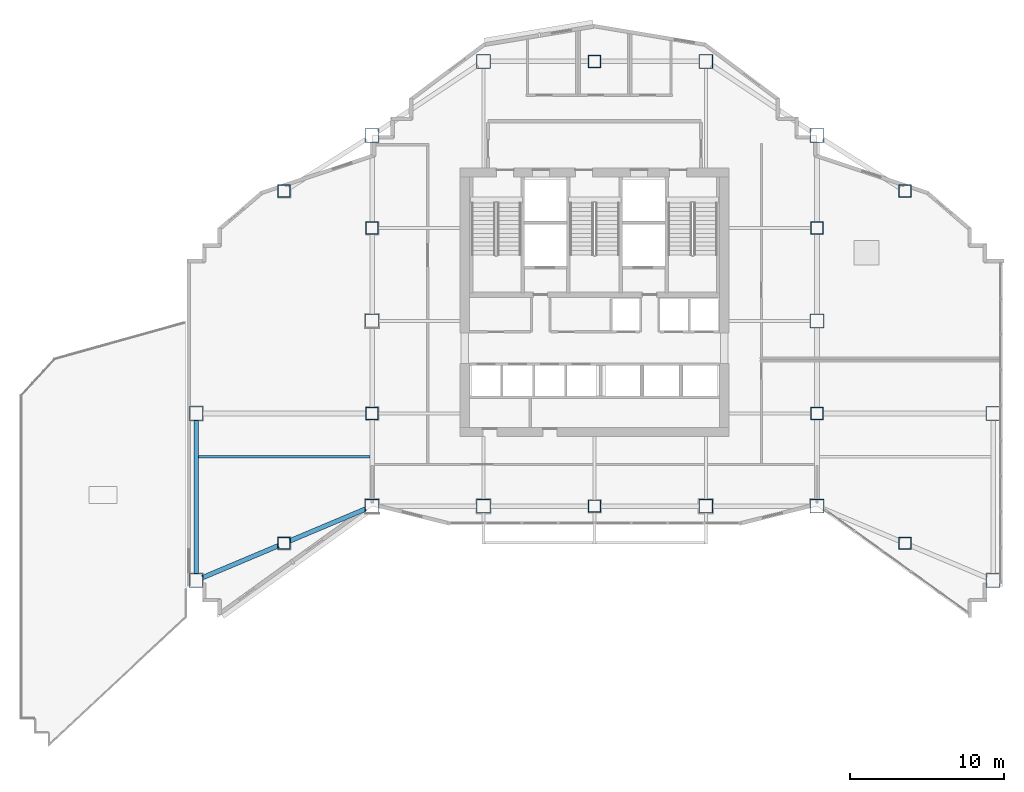
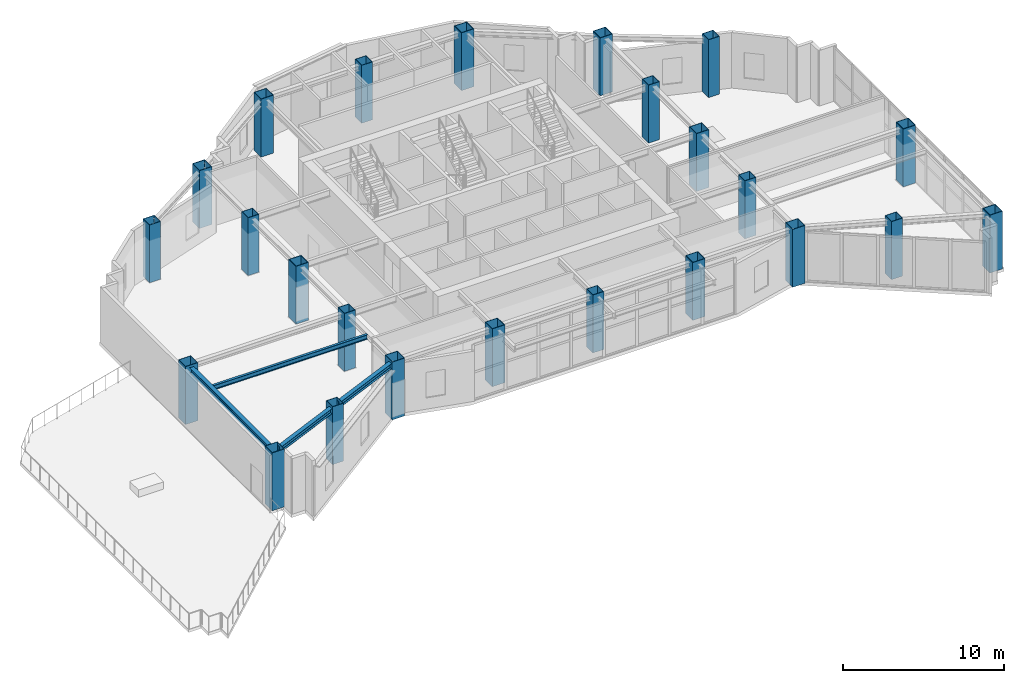
# One storey, part 1 of 16: 24 columns, 4 beams.
"""IFC4 building model written with IfcOpenShell, lengths in metres."""

from ifc_helpers import new_model, si_unit, direction, frame, origin, origin_2d, place, context, subcontext, project, spatial, hollow_rectangle, i_section, extrude, material, material_profile, profile_set, type_object, element, save


model = new_model("IFC4")

# Units and contexts
model_context = context("Model", 3, precision=1e-05, world=origin(), true_north=direction((0.0, 1.0)))
body_context = subcontext(model_context, "Body", "Model", "MODEL_VIEW")
ifc_project = project(units=[si_unit("LENGTHUNIT", "METRE"), si_unit("AREAUNIT", "SQUARE_METRE"), si_unit("VOLUMEUNIT", "CUBIC_METRE"), si_unit("PLANEANGLEUNIT", "RADIAN"), si_unit("MASSUNIT", "GRAM", prefix="KILO")], contexts=[model_context])

# Site, building, storey
site_placement = place(None, origin())
site = spatial("IfcSite", under=ifc_project, at=site_placement, CompositionType="ELEMENT")
building_placement = place(site_placement, origin())
building = spatial("IfcBuilding", under=site, at=building_placement, Name="Haolan Belvedere Tower", CompositionType="ELEMENT")
storey_placement = place(building_placement, frame((0.0, 0.0, 164.60009765625)))
storey = spatial("IfcBuildingStorey", under=building, at=storey_placement, Name="L41", CompositionType="ELEMENT", Elevation=164.60009765625)

# Columns
ifc_material_1 = material(Name="Steel Q390GJC", Category="steel")
ifc_material_profile_1 = material_profile(ifc_material_1, hollow_rectangle(XDim=0.800048828125, YDim=0.800048828125, WallThickness=0.030029296875, at=origin_2d()), Name="Steel Q390GJC")
ifc_profile_set_1 = profile_set([ifc_material_profile_1], Name="Steel Q390GJC")
column_type_1 = type_object("IfcColumnType", Name="COL-BOX800x800x30", PredefinedType="COLUMN", material=ifc_profile_set_1)
for number, where, z_axis, x_axis, name in (
    (1, (24.0, 27.60009765625, 0.0), (0.0, 0.0, 1.0), (1.0, 0.0, 0.0), "L41 column TC-T3-W1 (BOX800x800x30)"),
    (2, (24.0, 39.60009765625, 0.0), (0.0, 0.0, 1.0), (1.0, 0.0, 0.0), "L41 column TC-T3-W2 (BOX800x800x30)"),
    (3, (52.800048828125, 27.60009765625, 0.0), (0.0, 0.0, 1.0), (1.0, 0.0, 0.0), "L41 column TC-T3-E1 (BOX800x800x30)"),
    (4, (52.800048828125, 39.60009765625, 0.0), (0.0, 0.0, 1.0), (1.0, 0.0, 0.0), "L41 column TC-T3-E2 (BOX800x800x30)"),
    (5, (38.39990234375, 21.60009765625, 0.0), (0.0, 0.0, 1.0), (1.0, 0.0, 0.0), "L41 column TC-T3-SM (BOX800x800x30)"),
    (6, (38.39990234375, 50.39990234375, 0.0), (0.0, 0.0, 1.0), (1.0, 0.0, 0.0), "L41 column TC-T3-NM (BOX800x800x30)"),
    (7, (18.300048828125, 19.199951171875, 0.0), (0.0, 0.0, 1.0), (1.0, 0.0, 0.0), "L41 column TC-T2-S1 (BOX800x800x30)"),
    (8, (18.300048828125, 42.0, 0.0), (0.0, 0.0, 1.0), (1.0, 0.0, 0.0), "L41 column TC-T2-N1 (BOX800x800x30)"),
    (9, (58.5, 19.199951171875, 0.0), (0.0, 0.0, 1.0), (1.0, 0.0, 0.0), "L41 column TC-T4-S1 (BOX800x800x30)"),
    (10, (58.5, 42.0, 0.0), (0.0, 0.0, 1.0), (1.0, 0.0, 0.0), "L41 column TC-T4-N1 (BOX800x800x30)"),
):
    element("IfcColumn", number, at=place(storey_placement, frame(where, z_axis=z_axis, x_axis=x_axis)), inside=storey, type_object=column_type_1, Name=name, PredefinedType="COLUMN", context=body_context, shape_type="SweptSolid", body=[
        extrude(hollow_rectangle(XDim=0.800048828125, YDim=0.800048828125, WallThickness=0.030029296875, at=origin_2d()), origin(), (0.0, 0.0, 1.0), 4.39990234375),
    ])
ifc_material_profile_2 = material_profile(ifc_material_1, hollow_rectangle(XDim=0.89990234375, YDim=0.89990234375, WallThickness=0.033935546875, at=origin_2d()), Name="Steel Q390GJC")
ifc_profile_set_2 = profile_set([ifc_material_profile_2], Name="Steel Q390GJC")
column_type_2 = type_object("IfcColumnType", Name="COL-BOX900x900x34", PredefinedType="COLUMN", material=ifc_profile_set_2)
for number, where, z_axis, x_axis, name in (
    (11, (24.0, 21.60009765625, 0.0), (0.0, 0.0, 1.0), (1.0, 0.0, 0.0), "L41 column MC-T3-SW (BOX900x900x34)"),
    (12, (24.0, 33.60009765625, 0.0), (0.0, 0.0, 1.0), (1.0, 0.0, 0.0), "L41 column MC-T3-MW (BOX900x900x34)"),
    (13, (24.0, 45.60009765625, 0.0), (0.0, 0.0, 1.0), (1.0, 0.0, 0.0), "L41 column MC-T3-NW (BOX900x900x34)"),
    (14, (52.800048828125, 21.60009765625, 0.0), (0.0, 0.0, 1.0), (1.0, 0.0, 0.0), "L41 column MC-T3-SE (BOX900x900x34)"),
    (15, (52.800048828125, 33.60009765625, 0.0), (0.0, 0.0, 1.0), (1.0, 0.0, 0.0), "L41 column MC-T3-ME (BOX900x900x34)"),
    (16, (52.800048828125, 45.60009765625, 0.0), (0.0, 0.0, 1.0), (1.0, 0.0, 0.0), "L41 column MC-T3-NE (BOX900x900x34)"),
    (17, (31.199951171875, 21.60009765625, 0.0), (0.0, 0.0, 1.0), (1.0, 0.0, 0.0), "L41 column MC-T3-S1 (BOX900x900x34)"),
    (18, (45.60009765625, 21.60009765625, 0.0), (0.0, 0.0, 1.0), (1.0, 0.0, 0.0), "L41 column MC-T3-S2 (BOX900x900x34)"),
    (19, (31.199951171875, 50.39990234375, 0.0), (0.0, 0.0, 1.0), (1.0, 0.0, 0.0), "L41 column MC-T3-N1 (BOX900x900x34)"),
    (20, (45.60009765625, 50.39990234375, 0.0), (0.0, 0.0, 1.0), (1.0, 0.0, 0.0), "L41 column MC-T3-N2 (BOX900x900x34)"),
    (21, (12.60009765625, 16.800048828125, 0.0), (0.0, 0.0, 1.0), (1.0, 0.0, 0.0), "L41 column MC-T2-SW (BOX900x900x34)"),
    (22, (12.60009765625, 27.60009765625, 0.0), (0.0, 0.0, 1.0), (1.0, 0.0, 0.0), "L41 column MC-T2-MW (BOX900x900x34)"),
    (23, (64.199951171875, 16.800048828125, 0.0), (0.0, 0.0, 1.0), (1.0, 0.0, 0.0), "L41 column MC-T4-SE (BOX900x900x34)"),
    (24, (64.199951171875, 27.60009765625, 0.0), (0.0, 0.0, 1.0), (1.0, 0.0, 0.0), "L41 column MC-T4-ME (BOX900x900x34)"),
):
    element("IfcColumn", number, at=place(storey_placement, frame(where, z_axis=z_axis, x_axis=x_axis)), inside=storey, type_object=column_type_2, Name=name, PredefinedType="COLUMN", context=body_context, shape_type="SweptSolid", body=[
        extrude(hollow_rectangle(XDim=0.89990234375, YDim=0.89990234375, WallThickness=0.033935546875, at=origin_2d()), origin(), (0.0, 0.0, 1.0), 4.39990234375),
    ])

# Beams
ifc_material_2 = material(Name="Steel Q355B", Category="steel")
ifc_material_profile_3 = material_profile(ifc_material_2, i_section(OverallWidth=0.300048828125, OverallDepth=0.389892578125, WebThickness=0.010009765625, FlangeThickness=0.01611328125, FilletRadius=0.02197265625, at=origin_2d()), Name="Steel Q355B")
ifc_profile_set_3 = profile_set([ifc_material_profile_3], Name="Steel Q355B")
beam_type_1 = type_object("IfcBeamType", Name="BM-HM390x300x10x16", PredefinedType="SPANDREL", material=ifc_profile_set_3)
beam_1_placement = place(storey_placement, frame((12.60009765625, 17.25, 4.02490234375), z_axis=(0.0, 1.0, 0.0), x_axis=(-1.0, 0.0, 0.0)))
element("IfcBeam", 25, at=beam_1_placement, inside=storey, type_object=beam_type_1, Name="L41 spandrel girder MC-T2-SW-MC-T2-MW", PredefinedType="SPANDREL", context=body_context, shape_type="SweptSolid", body=[
    extrude(i_section(OverallWidth=0.300048828125, OverallDepth=0.389892578125, WebThickness=0.010009765625, FlangeThickness=0.01611328125, FilletRadius=0.02197265625, at=origin_2d()), origin(), (0.0, 0.0, 1.0), 9.89990234375),
])
beam_2_placement = place(storey_placement, frame((13.0146484375, 16.974609375, 4.02490234375), z_axis=(0.921644850741, 0.388034494733, 0.0), x_axis=(-0.388034494733, 0.921644850741, 0.0)))
element("IfcBeam", 26, at=beam_2_placement, inside=storey, type_object=beam_type_1, Name="L41 spandrel girder MC-T2-SW-TC-T2-S1", PredefinedType="SPANDREL", context=body_context, shape_type="SweptSolid", body=[
    extrude(i_section(OverallWidth=0.300048828125, OverallDepth=0.389892578125, WebThickness=0.010009765625, FlangeThickness=0.01611328125, FilletRadius=0.02197265625, at=origin_2d()), origin(), (0.0, 0.0, 1.0), 5.334716796875),
])
beam_3_placement = place(storey_placement, frame((18.668701171875, 19.355224609375, 4.02490234375), z_axis=(0.921637959557, 0.388050862006, 0.0), x_axis=(-0.388050862006, 0.921637959557, 0.0)))
element("IfcBeam", 27, at=beam_3_placement, inside=storey, type_object=beam_type_1, Name="L41 spandrel girder TC-T2-S1-MC-T3-SW", PredefinedType="SPANDREL", context=body_context, shape_type="SweptSolid", body=[
    extrude(i_section(OverallWidth=0.300048828125, OverallDepth=0.389892578125, WebThickness=0.010009765625, FlangeThickness=0.01611328125, FilletRadius=0.02197265625, at=origin_2d()), origin(), (0.0, 0.0, 1.0), 5.33447265625),
])
ifc_material_profile_4 = material_profile(ifc_material_2, i_section(OverallWidth=0.175048828125, OverallDepth=0.35009765625, WebThickness=0.007080078125, FlangeThickness=0.010986328125, FilletRadius=0.012939453125, at=origin_2d()), Name="Steel Q355B")
ifc_profile_set_4 = profile_set([ifc_material_profile_4], Name="Steel Q355B")
beam_type_2 = type_object("IfcBeamType", Name="BM-HN350x175x7x11", PredefinedType="JOIST", material=ifc_profile_set_4)
beam_4_placement = place(storey_placement, frame((12.75, 24.800048828125, 4.044921875), z_axis=(1.0, 0.0, 0.0), x_axis=(0.0, 1.0, 0.0)))
element("IfcBeam", 28, at=beam_4_placement, inside=storey, type_object=beam_type_2, Name="L41 west wing floor joist 1", PredefinedType="JOIST", context=body_context, shape_type="SweptSolid", body=[
    extrude(i_section(OverallWidth=0.175048828125, OverallDepth=0.35009765625, WebThickness=0.007080078125, FlangeThickness=0.010986328125, FilletRadius=0.012939453125, at=origin_2d()), origin(), (0.0, 0.0, 1.0), 11.10009765625),
])

save(model, "model.ifc")
